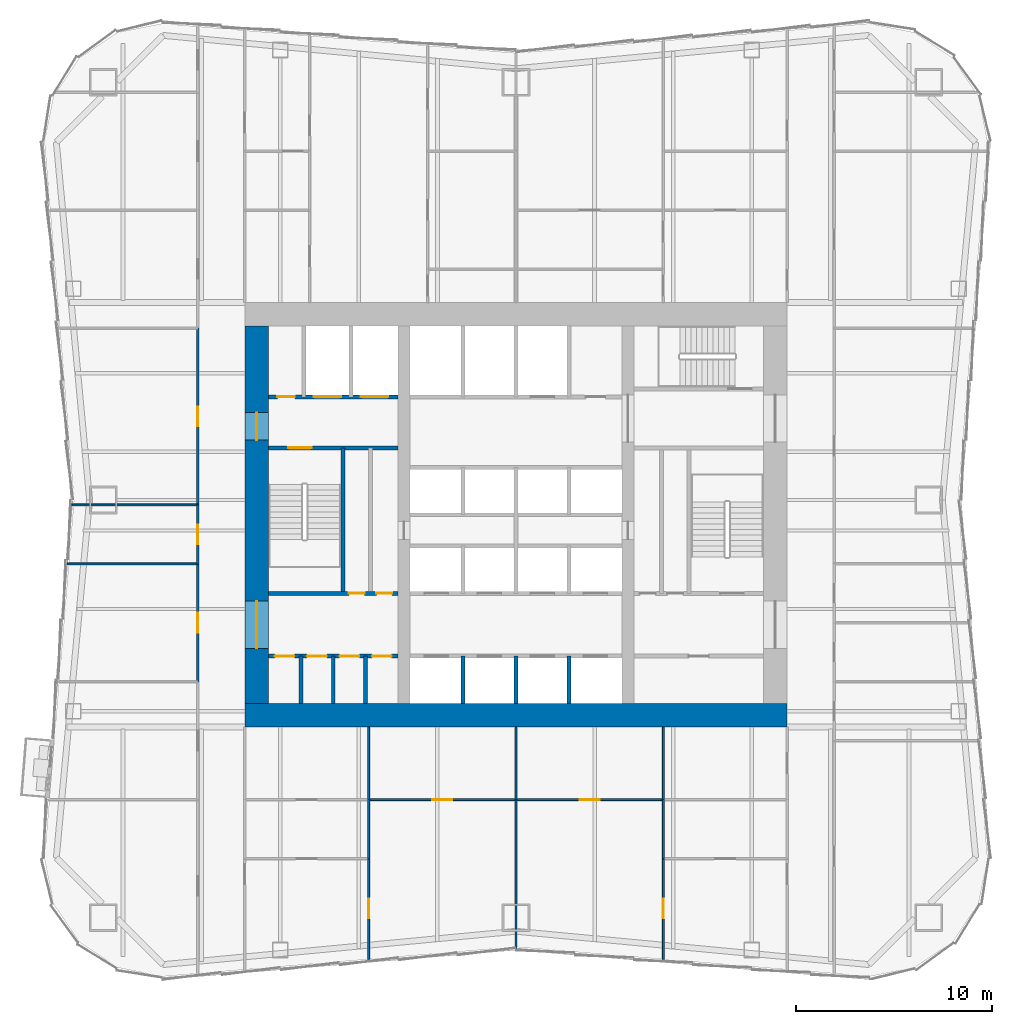
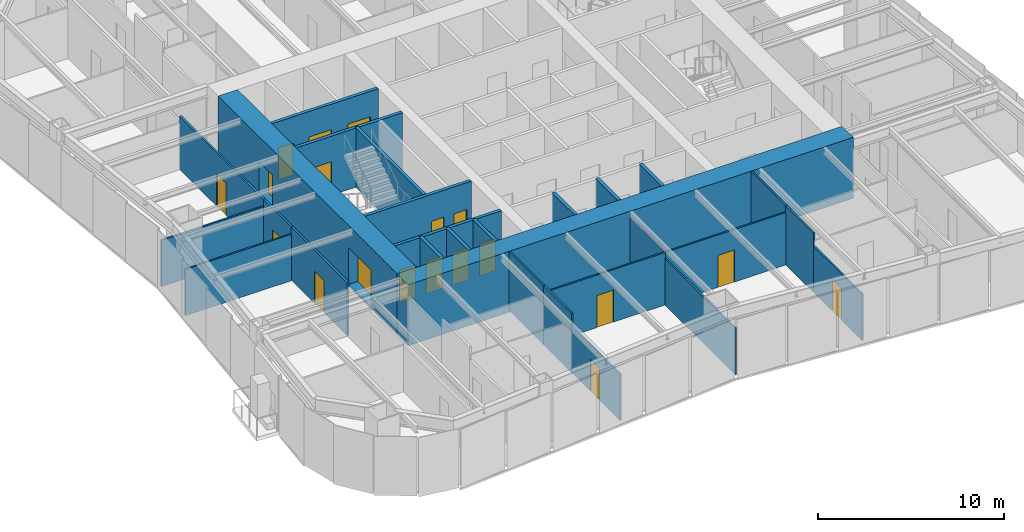
# One storey, part 4 of 9: 28 walls, 19 doors, 19 openings.
"""IFC4 building model written with IfcOpenShell, lengths in metres."""

from ifc_helpers import new_model, si_unit, direction, frame, frame_2d, origin, place, context, subcontext, project, spatial, rectangle, extrude, material, layer, layer_set, type_object, element, fill, save


model = new_model("IFC4")

# Units and contexts
model_context = context("Model", 3, precision=1e-05, world=origin(), true_north=direction((0.0, 1.0)))
body_context = subcontext(model_context, "Body", "Model", "MODEL_VIEW")
ifc_project = project(units=[si_unit("LENGTHUNIT", "METRE"), si_unit("AREAUNIT", "SQUARE_METRE"), si_unit("VOLUMEUNIT", "CUBIC_METRE"), si_unit("PLANEANGLEUNIT", "RADIAN"), si_unit("MASSUNIT", "GRAM", prefix="KILO")], contexts=[model_context])

# Site, building, storey
site_placement = place(None, origin())
site = spatial("IfcSite", under=ifc_project, at=site_placement, CompositionType="ELEMENT")
building_placement = place(site_placement, origin())
building = spatial("IfcBuilding", under=site, at=building_placement, Name="Verdant Reach Tower", CompositionType="ELEMENT")
storey_placement = place(building_placement, frame((0.0, 0.0, 78.0)))
storey = spatial("IfcBuildingStorey", under=building, at=storey_placement, Name="L17", CompositionType="ELEMENT", Elevation=78.0)

# Wall, openings, doors
ifc_material_1 = material(Name="Gypsum board on steel studs", Category="steel")
ifc_layer_1 = layer(ifc_material_1, 0.199951171875)
ifc_layer_set_1 = layer_set([ifc_layer_1], Name="CO-WALL-ROOM")
wall_type_1 = type_object("IfcWallType", Name="CO-WALL-ROOM", PredefinedType="PARTITIONING", material=ifc_layer_set_1)
wall_1_placement = place(storey_placement, frame((-12.60009765625, 20.800048828125, 0.0), z_axis=(0.0, 0.0, 1.0), x_axis=(1.0, 0.0, 0.0)))
wall_1 = element("IfcWall", 1, at=wall_1_placement, inside=storey, type_object=wall_type_1, Name="Core partition, L17", PredefinedType="PARTITIONING", context=body_context, shape_type="SweptSolid", body=[
    extrude(rectangle(XDim=6.60009765625, YDim=0.199951171875, at=frame_2d((3.300048828125, 0.0))), origin(), (0.0, 0.0, 1.0), 3.8701171875),
])
opening_1_placement = place(wall_1_placement, frame((0.324951171875, 0.0, 0.0)))
opening_1 = element("IfcOpeningElement", 2, at=opening_1_placement, cuts=wall_1, Name="Opening CD", PredefinedType="OPENING", context=body_context, shape_type="SweptSolid", body=[
    extrude(rectangle(XDim=1.0, YDim=2.10009765625, at=frame_2d((0.5, 1.050048828125))), frame((0.0, 0.10986328125, 0.0), z_axis=(0.0, -1.0, 0.0), x_axis=(1.0, 0.0, 0.0)), (0.0, 0.0, 1.0), 0.219970703125),
])
opening_2_placement = place(wall_1_placement, frame((1.97509765625, 0.0, 0.0)))
opening_2 = element("IfcOpeningElement", 3, at=opening_2_placement, cuts=wall_1, Name="Opening CD", PredefinedType="OPENING", context=body_context, shape_type="SweptSolid", body=[
    extrude(rectangle(XDim=1.0, YDim=2.10009765625, at=frame_2d((0.5, 1.050048828125))), frame((0.0, 0.10986328125, 0.0), z_axis=(0.0, -1.0, 0.0), x_axis=(1.0, 0.0, 0.0)), (0.0, 0.0, 1.0), 0.219970703125),
])
opening_3_placement = place(wall_1_placement, frame((3.625, 0.0, 0.0)))
opening_3 = element("IfcOpeningElement", 4, at=opening_3_placement, cuts=wall_1, Name="Opening CD", PredefinedType="OPENING", context=body_context, shape_type="SweptSolid", body=[
    extrude(rectangle(XDim=1.0, YDim=2.10009765625, at=frame_2d((0.5, 1.050048828125))), frame((0.0, 0.10986328125, 0.0), z_axis=(0.0, -1.0, 0.0), x_axis=(1.0, 0.0, 0.0)), (0.0, 0.0, 1.0), 0.219970703125),
])
opening_4_placement = place(wall_1_placement, frame((5.27490234375, 0.0, 0.0)))
opening_4 = element("IfcOpeningElement", 5, at=opening_4_placement, cuts=wall_1, Name="Opening CD", PredefinedType="OPENING", context=body_context, shape_type="SweptSolid", body=[
    extrude(rectangle(XDim=1.0, YDim=2.10009765625, at=frame_2d((0.5, 1.050048828125))), frame((0.0, 0.10986328125, 0.0), z_axis=(0.0, -1.0, 0.0), x_axis=(1.0, 0.0, 0.0)), (0.0, 0.0, 1.0), 0.219970703125),
])
ifc_material_2 = material(Name="Timber", Category="wood")
door_type_1 = type_object("IfcDoorType", Name="CO-DOOR-ROOM", OperationType="NOTDEFINED", PredefinedType="DOOR", material=ifc_material_2)
door_1_placement = place(opening_1_placement, origin())
door_1 = element("IfcDoor", 6, at=door_1_placement, inside=storey, type_object=door_type_1, Name="Core room door, L17", OperationType="SINGLE_SWING_RIGHT", OverallHeight=2.10009765625, OverallWidth=1.0, PredefinedType="DOOR", context=body_context, shape_type="SweptSolid", body=[
    extrude(rectangle(XDim=1.0, YDim=2.10009765625, at=frame_2d((0.5, 1.050048828125))), frame((0.0, 0.02490234375, 0.0), z_axis=(0.0, -1.0, 0.0), x_axis=(1.0, 0.0, 0.0)), (0.0, 0.0, 1.0), 0.050048828125),
])
fill(opening_1, door_1)
door_2_placement = place(opening_2_placement, origin())
door_2 = element("IfcDoor", 7, at=door_2_placement, inside=storey, type_object=door_type_1, Name="Core room door, L17", OperationType="SINGLE_SWING_RIGHT", OverallHeight=2.10009765625, OverallWidth=1.0, PredefinedType="DOOR", context=body_context, shape_type="SweptSolid", body=[
    extrude(rectangle(XDim=1.0, YDim=2.10009765625, at=frame_2d((0.5, 1.050048828125))), frame((0.0, 0.02490234375, 0.0), z_axis=(0.0, -1.0, 0.0), x_axis=(1.0, 0.0, 0.0)), (0.0, 0.0, 1.0), 0.050048828125),
])
fill(opening_2, door_2)
door_3_placement = place(opening_3_placement, origin())
door_3 = element("IfcDoor", 8, at=door_3_placement, inside=storey, type_object=door_type_1, Name="Core room door, L17", OperationType="SINGLE_SWING_LEFT", OverallHeight=2.10009765625, OverallWidth=1.0, PredefinedType="DOOR", context=body_context, shape_type="SweptSolid", body=[
    extrude(rectangle(XDim=1.0, YDim=2.10009765625, at=frame_2d((0.5, 1.050048828125))), frame((0.0, 0.02490234375, 0.0), z_axis=(0.0, -1.0, 0.0), x_axis=(1.0, 0.0, 0.0)), (0.0, 0.0, 1.0), 0.050048828125),
])
fill(opening_3, door_3)
door_4_placement = place(opening_4_placement, origin())
door_4 = element("IfcDoor", 9, at=door_4_placement, inside=storey, type_object=door_type_1, Name="Core room door, L17", OperationType="SINGLE_SWING_LEFT", OverallHeight=2.10009765625, OverallWidth=1.0, PredefinedType="DOOR", context=body_context, shape_type="SweptSolid", body=[
    extrude(rectangle(XDim=1.0, YDim=2.10009765625, at=frame_2d((0.5, 1.050048828125))), frame((0.0, 0.02490234375, 0.0), z_axis=(0.0, -1.0, 0.0), x_axis=(1.0, 0.0, 0.0)), (0.0, 0.0, 1.0), 0.050048828125),
])
fill(opening_4, door_4)

# Walls
for number, where, z_axis, x_axis, name in (
    (10, (-10.949951171875, 18.39990234375, 0.0), (0.0, 0.0, 1.0), (0.0, 1.0, 0.0), "Core partition, L17"),
    (11, (-9.300048828125, 18.39990234375, 0.0), (0.0, 0.0, 1.0), (0.0, 1.0, 0.0), "Core partition, L17"),
    (12, (-7.64990234375, 18.39990234375, 0.0), (0.0, 0.0, 1.0), (0.0, 1.0, 0.0), "Core partition, L17"),
):
    element("IfcWall", number, at=place(storey_placement, frame(where, z_axis=z_axis, x_axis=x_axis)), inside=storey, type_object=wall_type_1, Name=name, PredefinedType="PARTITIONING", context=body_context, shape_type="SweptSolid", body=[
        extrude(rectangle(XDim=2.400146484375, YDim=0.199951171875, at=frame_2d((1.2001953125, 0.0))), origin(), (0.0, 0.0, 1.0), 3.8701171875),
    ])

# Wall, openings, doors
ifc_material_3 = material(Name="Concrete C40/50", Category="concrete")
ifc_layer_2 = layer(ifc_material_3, 0.199951171875)
ifc_layer_set_2 = layer_set([ifc_layer_2], Name="CO-WALL-SHAFT")
wall_type_2 = type_object("IfcWallType", Name="CO-WALL-SHAFT", PredefinedType="PARTITIONING", material=ifc_layer_set_2)
wall_2_placement = place(storey_placement, frame((-12.60009765625, 34.0, 0.0), z_axis=(0.0, 0.0, 1.0), x_axis=(1.0, 0.0, 0.0)))
wall_2 = element("IfcWall", 13, at=wall_2_placement, inside=storey, type_object=wall_type_2, Name="Lift shaft wall, L17", PredefinedType="PARTITIONING", context=body_context, shape_type="SweptSolid", body=[
    extrude(rectangle(XDim=6.60009765625, YDim=0.199951171875, at=frame_2d((3.300048828125, 0.0))), origin(), (0.0, 0.0, 1.0), 3.8701171875),
])
opening_5_placement = place(wall_2_placement, frame((4.699951171875, 0.0, 0.0)))
opening_5 = element("IfcOpeningElement", 14, at=opening_5_placement, cuts=wall_2, Name="Opening LD-F1", PredefinedType="OPENING", context=body_context, shape_type="SweptSolid", body=[
    extrude(rectangle(XDim=1.39990234375, YDim=2.199951171875, at=frame_2d((0.699951171875, 1.10009765625))), frame((0.0, 0.10986328125, 0.0), z_axis=(0.0, -1.0, 0.0), x_axis=(1.0, 0.0, 0.0)), (0.0, 0.0, 1.0), 0.219970703125),
])
opening_6_placement = place(wall_2_placement, frame((2.300048828125, 0.0, 0.0)))
opening_6 = element("IfcOpeningElement", 15, at=opening_6_placement, cuts=wall_2, Name="Opening LD-F2", PredefinedType="OPENING", context=body_context, shape_type="SweptSolid", body=[
    extrude(rectangle(XDim=1.39990234375, YDim=2.199951171875, at=frame_2d((0.699951171875, 1.10009765625))), frame((0.0, 0.10986328125, 0.0), z_axis=(0.0, -1.0, 0.0), x_axis=(1.0, 0.0, 0.0)), (0.0, 0.0, 1.0), 0.219970703125),
])
opening_7_placement = place(wall_2_placement, frame((0.449951171875, 0.0, 0.0)))
opening_7 = element("IfcOpeningElement", 16, at=opening_7_placement, cuts=wall_2, Name="Opening RD", PredefinedType="OPENING", context=body_context, shape_type="SweptSolid", body=[
    extrude(rectangle(XDim=0.89990234375, YDim=2.10009765625, at=frame_2d((0.449951171875, 1.050048828125))), frame((0.0, 0.10986328125, 0.0), z_axis=(0.0, -1.0, 0.0), x_axis=(1.0, 0.0, 0.0)), (0.0, 0.0, 1.0), 0.219970703125),
])
ifc_material_4 = material(Name="Stainless steel", Category="steel")
door_type_2 = type_object("IfcDoorType", Name="CO-DOOR-LANDING-FF", OperationType="SLIDING_TO_LEFT", PredefinedType="DOOR", material=ifc_material_4)
door_5_placement = place(opening_5_placement, origin())
door_5 = element("IfcDoor", 17, at=door_5_placement, inside=storey, type_object=door_type_2, Name="Landing door F1, L17", OperationType="SLIDING_TO_LEFT", OverallHeight=2.199951171875, OverallWidth=1.39990234375, PredefinedType="DOOR", context=body_context, shape_type="SweptSolid", body=[
    extrude(rectangle(XDim=1.39990234375, YDim=2.199951171875, at=frame_2d((0.699951171875, 1.10009765625))), frame((0.0, 0.02490234375, 0.0), z_axis=(0.0, -1.0, 0.0), x_axis=(1.0, 0.0, 0.0)), (0.0, 0.0, 1.0), 0.050048828125),
])
fill(opening_5, door_5)
door_6_placement = place(opening_6_placement, origin())
door_6 = element("IfcDoor", 18, at=door_6_placement, inside=storey, type_object=door_type_2, Name="Landing door F2, L17", OperationType="SLIDING_TO_LEFT", OverallHeight=2.199951171875, OverallWidth=1.39990234375, PredefinedType="DOOR", context=body_context, shape_type="SweptSolid", body=[
    extrude(rectangle(XDim=1.39990234375, YDim=2.199951171875, at=frame_2d((0.699951171875, 1.10009765625))), frame((0.0, 0.02490234375, 0.0), z_axis=(0.0, -1.0, 0.0), x_axis=(1.0, 0.0, 0.0)), (0.0, 0.0, 1.0), 0.050048828125),
])
fill(opening_6, door_6)
ifc_material_5 = material(Name="Steel", Category="steel")
door_type_3 = type_object("IfcDoorType", Name="CO-DOOR-RISER", OperationType="NOTDEFINED", PredefinedType="DOOR", material=ifc_material_5)
door_7_placement = place(opening_7_placement, origin())
door_7 = element("IfcDoor", 19, at=door_7_placement, inside=storey, type_object=door_type_3, Name="Core room door, L17", OperationType="SINGLE_SWING_RIGHT", OverallHeight=2.10009765625, OverallWidth=0.89990234375, PredefinedType="DOOR", context=body_context, shape_type="SweptSolid", body=[
    extrude(rectangle(XDim=0.89990234375, YDim=2.10009765625, at=frame_2d((0.449951171875, 1.050048828125))), frame((0.0, 0.02490234375, 0.0), z_axis=(0.0, -1.0, 0.0), x_axis=(1.0, 0.0, 0.0)), (0.0, 0.0, 1.0), 0.050048828125),
])
fill(opening_7, door_7)

# Walls
for number, where, z_axis, x_axis, name in (
    (20, (-2.699951171875, 18.39990234375, 0.0), (0.0, 0.0, 1.0), (0.0, 1.0, 0.0), "Lift shaft wall, L17"),
    (21, (0.0, 18.39990234375, 0.0), (0.0, 0.0, 1.0), (0.0, 1.0, 0.0), "Lift shaft wall, L17"),
    (22, (2.699951171875, 18.39990234375, 0.0), (0.0, 0.0, 1.0), (0.0, 1.0, 0.0), "Lift shaft wall, L17"),
):
    element("IfcWall", number, at=place(storey_placement, frame(where, z_axis=z_axis, x_axis=x_axis)), inside=storey, type_object=wall_type_2, Name=name, PredefinedType="PARTITIONING", context=body_context, shape_type="SweptSolid", body=[
        extrude(rectangle(XDim=2.400146484375, YDim=0.199951171875, at=frame_2d((1.2001953125, 0.0))), origin(), (0.0, 0.0, 1.0), 3.8701171875),
    ])

# Wall, openings, doors
ifc_layer_3 = layer(ifc_material_3, 0.199951171875)
ifc_layer_set_3 = layer_set([ifc_layer_3], Name="CO-WALL-STAIR")
wall_type_3 = type_object("IfcWallType", Name="CO-WALL-STAIR", PredefinedType="PARTITIONING", material=ifc_layer_set_3)
wall_3_placement = place(storey_placement, frame((-12.60009765625, 24.0, 0.0), z_axis=(0.0, 0.0, 1.0), x_axis=(1.0, 0.0, 0.0)))
wall_3 = element("IfcWall", 23, at=wall_3_placement, inside=storey, type_object=wall_type_3, Name="Stair enclosure wall, L17", PredefinedType="PARTITIONING", context=body_context, shape_type="SweptSolid", body=[
    extrude(rectangle(XDim=6.60009765625, YDim=0.199951171875, at=frame_2d((3.300048828125, 0.0))), origin(), (0.0, 0.0, 1.0), 3.8701171875),
])
opening_8_placement = place(wall_3_placement, frame((4.10009765625, 0.0, 0.0)))
opening_8 = element("IfcOpeningElement", 24, at=opening_8_placement, cuts=wall_3, Name="Opening CDN", PredefinedType="OPENING", context=body_context, shape_type="SweptSolid", body=[
    extrude(rectangle(XDim=0.800048828125, YDim=2.10009765625, at=frame_2d((0.39990234375, 1.050048828125))), frame((0.0, 0.10986328125, 0.0), z_axis=(0.0, -1.0, 0.0), x_axis=(1.0, 0.0, 0.0)), (0.0, 0.0, 1.0), 0.219970703125),
])
opening_9_placement = place(wall_3_placement, frame((5.5, 0.0, 0.0)))
opening_9 = element("IfcOpeningElement", 25, at=opening_9_placement, cuts=wall_3, Name="Opening CDN", PredefinedType="OPENING", context=body_context, shape_type="SweptSolid", body=[
    extrude(rectangle(XDim=0.800048828125, YDim=2.10009765625, at=frame_2d((0.39990234375, 1.050048828125))), frame((0.0, 0.10986328125, 0.0), z_axis=(0.0, -1.0, 0.0), x_axis=(1.0, 0.0, 0.0)), (0.0, 0.0, 1.0), 0.219970703125),
])
door_type_4 = type_object("IfcDoorType", Name="CO-DOOR-ROOM-NARROW", OperationType="NOTDEFINED", PredefinedType="DOOR", material=ifc_material_2)
door_8_placement = place(opening_8_placement, origin())
door_8 = element("IfcDoor", 26, at=door_8_placement, inside=storey, type_object=door_type_4, Name="Core room door, L17", OperationType="SINGLE_SWING_RIGHT", OverallHeight=2.10009765625, OverallWidth=0.800048828125, PredefinedType="DOOR", context=body_context, shape_type="SweptSolid", body=[
    extrude(rectangle(XDim=0.800048828125, YDim=2.10009765625, at=frame_2d((0.39990234375, 1.050048828125))), frame((0.0, 0.02490234375, 0.0), z_axis=(0.0, -1.0, 0.0), x_axis=(1.0, 0.0, 0.0)), (0.0, 0.0, 1.0), 0.050048828125),
])
fill(opening_8, door_8)
door_9_placement = place(opening_9_placement, origin())
door_9 = element("IfcDoor", 27, at=door_9_placement, inside=storey, type_object=door_type_4, Name="Core room door, L17", OperationType="SINGLE_SWING_LEFT", OverallHeight=2.10009765625, OverallWidth=0.800048828125, PredefinedType="DOOR", context=body_context, shape_type="SweptSolid", body=[
    extrude(rectangle(XDim=0.800048828125, YDim=2.10009765625, at=frame_2d((0.39990234375, 1.050048828125))), frame((0.0, 0.02490234375, 0.0), z_axis=(0.0, -1.0, 0.0), x_axis=(1.0, 0.0, 0.0)), (0.0, 0.0, 1.0), 0.050048828125),
])
fill(opening_9, door_9)

# Wall, opening, door
wall_4_placement = place(storey_placement, frame((-12.60009765625, 31.39990234375, 0.0), z_axis=(0.0, 0.0, 1.0), x_axis=(1.0, 0.0, 0.0)))
wall_4 = element("IfcWall", 28, at=wall_4_placement, inside=storey, type_object=wall_type_3, Name="Stair enclosure wall, L17", PredefinedType="PARTITIONING", context=body_context, shape_type="SweptSolid", body=[
    extrude(rectangle(XDim=6.60009765625, YDim=0.199951171875, at=frame_2d((3.300048828125, 0.0))), origin(), (0.0, 0.0, 1.0), 3.8701171875),
])
opening_10_placement = place(wall_4_placement, frame((1.0, 0.0, 0.0)))
opening_10 = element("IfcOpeningElement", 29, at=opening_10_placement, cuts=wall_4, Name="Opening SD", PredefinedType="OPENING", context=body_context, shape_type="SweptSolid", body=[
    extrude(rectangle(XDim=1.199951171875, YDim=2.199951171875, at=frame_2d((0.60009765625, 1.10009765625))), frame((0.0, 0.10986328125, 0.0), z_axis=(0.0, -1.0, 0.0), x_axis=(1.0, 0.0, 0.0)), (0.0, 0.0, 1.0), 0.219970703125),
])
door_type_5 = type_object("IfcDoorType", Name="CO-DOOR-STAIR", OperationType="NOTDEFINED", PredefinedType="DOOR", material=ifc_material_5)
door_10_placement = place(opening_10_placement, origin())
door_10 = element("IfcDoor", 30, at=door_10_placement, inside=storey, type_object=door_type_5, Name="Stair door, L17", OperationType="SINGLE_SWING_RIGHT", OverallHeight=2.199951171875, OverallWidth=1.199951171875, PredefinedType="DOOR", context=body_context, shape_type="SweptSolid", body=[
    extrude(rectangle(XDim=1.199951171875, YDim=2.199951171875, at=frame_2d((0.60009765625, 1.10009765625))), frame((0.0, 0.02490234375, 0.0), z_axis=(0.0, -1.0, 0.0), x_axis=(1.0, 0.0, 0.0)), (0.0, 0.0, 1.0), 0.050048828125),
])
fill(opening_10, door_10)

# Walls
wall_5_placement = place(storey_placement, frame((-8.800048828125, 24.0, 0.0), z_axis=(0.0, 0.0, 1.0), x_axis=(0.0, 1.0, 0.0)))
element("IfcWall", 31, at=wall_5_placement, inside=storey, type_object=wall_type_3, Name="Stair enclosure wall, L17", PredefinedType="PARTITIONING", context=body_context, shape_type="SweptSolid", body=[
    extrude(rectangle(XDim=7.39990234375, YDim=0.199951171875, at=frame_2d((3.699951171875, 0.0))), origin(), (0.0, 0.0, 1.0), 3.8701171875),
])
ifc_layer_4 = layer(ifc_material_1, 0.10009765625)
ifc_layer_set_4 = layer_set([ifc_layer_4], Name="FL-W1 Partition 100")
wall_type_4 = type_object("IfcWallType", Name="FL-W1 Partition 100", PredefinedType="PARTITIONING", material=ifc_layer_set_4)
wall_6_placement = place(storey_placement, frame((-16.199951171875, 25.5, 0.0), z_axis=(0.0, 0.0, 1.0), x_axis=(-1.0, 0.0, 0.0)))
element("IfcWall", 32, at=wall_6_placement, inside=storey, type_object=wall_type_4, Name="Partition 17.31", PredefinedType="PARTITIONING", context=body_context, shape_type="SweptSolid", body=[
    extrude(rectangle(XDim=6.647216796875, YDim=0.10009765625, at=frame_2d((3.32373046875, 0.0))), origin(), (0.0, 0.0, 1.0), 3.0400390625),
])
wall_7_placement = place(storey_placement, frame((-16.199951171875, 28.5, 0.0), z_axis=(0.0, 0.0, 1.0), x_axis=(-1.0, 0.0, 0.0)))
element("IfcWall", 33, at=wall_7_placement, inside=storey, type_object=wall_type_4, Name="Partition 17.32", PredefinedType="PARTITIONING", context=body_context, shape_type="SweptSolid", body=[
    extrude(rectangle(XDim=6.400634765625, YDim=0.10009765625, at=frame_2d((3.2001953125, 0.0))), origin(), (0.0, 0.0, 1.0), 3.0400390625),
])

# Wall, opening, door
wall_8_placement = place(storey_placement, frame((-7.5, 10.50390625, 0.0), z_axis=(0.0, 0.0, 1.0), x_axis=(0.0, -1.0, 0.0)))
wall_8 = element("IfcWall", 34, at=wall_8_placement, inside=storey, type_object=wall_type_4, Name="Partition 17.44", PredefinedType="PARTITIONING", context=body_context, shape_type="SweptSolid", body=[
    extrude(rectangle(XDim=5.208984375, YDim=0.10009765625, at=frame_2d((2.6044921875, 0.0))), origin(), (0.0, 0.0, 1.0), 3.0400390625),
])
opening_11_placement = place(wall_8_placement, frame((2.039306640625, 0.0, 0.0)))
opening_11 = element("IfcOpeningElement", 35, at=opening_11_placement, cuts=wall_8, Name="Opening D3", PredefinedType="OPENING", context=body_context, shape_type="SweptSolid", body=[
    extrude(rectangle(XDim=1.0, YDim=2.10009765625, at=frame_2d((0.5, 1.050048828125))), frame((0.0, 0.06005859375, 0.0), z_axis=(0.0, -1.0, 0.0), x_axis=(1.0, 0.0, 0.0)), (0.0, 0.0, 1.0), 0.1201171875),
])
ifc_material_6 = material(Name="Painted timber door leaf", Category="wood")
door_type_6 = type_object("IfcDoorType", Name="FL-D3 Door 1000x2100", OperationType="NOTDEFINED", PredefinedType="DOOR", material=ifc_material_6)
door_11_placement = place(opening_11_placement, origin())
door_11 = element("IfcDoor", 36, at=door_11_placement, inside=storey, type_object=door_type_6, Name="Door 17-024", OperationType="SINGLE_SWING_LEFT", OverallHeight=2.10009765625, OverallWidth=1.0, PredefinedType="DOOR", context=body_context, shape_type="SweptSolid", body=[
    extrude(rectangle(XDim=1.0, YDim=2.10009765625, at=frame_2d((0.5, 1.050048828125))), frame((0.0, 0.02490234375, 0.0), z_axis=(0.0, -1.0, 0.0), x_axis=(1.0, 0.0, 0.0)), (0.0, 0.0, 1.0), 0.050048828125),
])
fill(opening_11, door_11)

# Walls
wall_9_placement = place(storey_placement, frame((-7.5, 10.49609375, 0.0), z_axis=(0.0, 0.0, 1.0), x_axis=(0.0, 1.0, 0.0)))
element("IfcWall", 37, at=wall_9_placement, inside=storey, type_object=wall_type_4, Name="Partition 17.46", PredefinedType="PARTITIONING", context=body_context, shape_type="SweptSolid", body=[
    extrude(rectangle(XDim=3.00390625, YDim=0.10009765625, at=frame_2d((1.501953125, 0.0))), origin(), (0.0, 0.0, 1.0), 3.8701171875),
])
wall_10_placement = place(storey_placement, frame((-7.5, 13.5, 0.0), z_axis=(0.0, 0.0, 1.0), x_axis=(0.0, 1.0, 0.0)))
element("IfcWall", 38, at=wall_10_placement, inside=storey, type_object=wall_type_4, Name="Partition 17.47", PredefinedType="PARTITIONING", context=body_context, shape_type="SweptSolid", body=[
    extrude(rectangle(XDim=3.699951171875, YDim=0.10009765625, at=frame_2d((1.85009765625, 0.0))), origin(), (0.0, 0.0, 1.0), 3.8701171875),
])

# Wall, opening, door
wall_11_placement = place(storey_placement, frame((-7.5, 13.5, 0.0), z_axis=(0.0, 0.0, 1.0), x_axis=(1.0, 0.0, 0.0)))
wall_11 = element("IfcWall", 39, at=wall_11_placement, inside=storey, type_object=wall_type_4, Name="Partition 17.48", PredefinedType="PARTITIONING", context=body_context, shape_type="SweptSolid", body=[
    extrude(rectangle(XDim=7.5, YDim=0.10009765625, at=frame_2d((3.75, 0.0))), origin(), (0.0, 0.0, 1.0), 3.43994140625),
])
opening_12_placement = place(wall_11_placement, frame((3.25, 0.0, 0.0)))
opening_12 = element("IfcOpeningElement", 40, at=opening_12_placement, cuts=wall_11, Name="Opening D3", PredefinedType="OPENING", context=body_context, shape_type="SweptSolid", body=[
    extrude(rectangle(XDim=1.0, YDim=2.10009765625, at=frame_2d((0.5, 1.050048828125))), frame((0.0, 0.06005859375, 0.0), z_axis=(0.0, -1.0, 0.0), x_axis=(1.0, 0.0, 0.0)), (0.0, 0.0, 1.0), 0.1201171875),
])
door_12_placement = place(opening_12_placement, origin())
door_12 = element("IfcDoor", 41, at=door_12_placement, inside=storey, type_object=door_type_6, Name="Door 17-026", OperationType="SINGLE_SWING_RIGHT", OverallHeight=2.10009765625, OverallWidth=1.0, PredefinedType="DOOR", context=body_context, shape_type="SweptSolid", body=[
    extrude(rectangle(XDim=1.0, YDim=2.10009765625, at=frame_2d((0.5, 1.050048828125))), frame((0.0, 0.02490234375, 0.0), z_axis=(0.0, -1.0, 0.0), x_axis=(1.0, 0.0, 0.0)), (0.0, 0.0, 1.0), 0.050048828125),
])
fill(opening_12, door_12)

# Walls
wall_12_placement = place(storey_placement, frame((0.0, 5.919921875, 0.0), z_axis=(0.0, 0.0, 1.0), x_axis=(0.0, 1.0, 0.0)))
element("IfcWall", 42, at=wall_12_placement, inside=storey, type_object=wall_type_4, Name="Partition 17.49", PredefinedType="PARTITIONING", context=body_context, shape_type="SweptSolid", body=[
    extrude(rectangle(XDim=7.580078125, YDim=0.10009765625, at=frame_2d((3.7900390625, 0.0))), origin(), (0.0, 0.0, 1.0), 3.0400390625),
])
wall_13_placement = place(storey_placement, frame((0.0, 13.5, 0.0), z_axis=(0.0, 0.0, 1.0), x_axis=(0.0, 1.0, 0.0)))
element("IfcWall", 43, at=wall_13_placement, inside=storey, type_object=wall_type_4, Name="Partition 17.50", PredefinedType="PARTITIONING", context=body_context, shape_type="SweptSolid", body=[
    extrude(rectangle(XDim=3.699951171875, YDim=0.10009765625, at=frame_2d((1.85009765625, 0.0))), origin(), (0.0, 0.0, 1.0), 3.47998046875),
])

# Wall, opening, door
wall_14_placement = place(storey_placement, frame((7.5, 5.294921875, 0.0), z_axis=(0.0, 0.0, 1.0), x_axis=(0.0, 1.0, 0.0)))
wall_14 = element("IfcWall", 44, at=wall_14_placement, inside=storey, type_object=wall_type_4, Name="Partition 17.52", PredefinedType="PARTITIONING", context=body_context, shape_type="SweptSolid", body=[
    extrude(rectangle(XDim=5.208984375, YDim=0.10009765625, at=frame_2d((2.6044921875, 0.0))), origin(), (0.0, 0.0, 1.0), 3.0400390625),
])
opening_13_placement = place(wall_14_placement, frame((2.169677734375, 0.0, 0.0)))
opening_13 = element("IfcOpeningElement", 45, at=opening_13_placement, cuts=wall_14, Name="Opening D3", PredefinedType="OPENING", context=body_context, shape_type="SweptSolid", body=[
    extrude(rectangle(XDim=1.0, YDim=2.10009765625, at=frame_2d((0.5, 1.050048828125))), frame((0.0, 0.06005859375, 0.0), z_axis=(0.0, -1.0, 0.0), x_axis=(1.0, 0.0, 0.0)), (0.0, 0.0, 1.0), 0.1201171875),
])
door_13_placement = place(opening_13_placement, origin())
door_13 = element("IfcDoor", 46, at=door_13_placement, inside=storey, type_object=door_type_6, Name="Door 17-028", OperationType="SINGLE_SWING_RIGHT", OverallHeight=2.10009765625, OverallWidth=1.0, PredefinedType="DOOR", context=body_context, shape_type="SweptSolid", body=[
    extrude(rectangle(XDim=1.0, YDim=2.10009765625, at=frame_2d((0.5, 1.050048828125))), frame((0.0, 0.02490234375, 0.0), z_axis=(0.0, -1.0, 0.0), x_axis=(1.0, 0.0, 0.0)), (0.0, 0.0, 1.0), 0.050048828125),
])
fill(opening_13, door_13)

# Walls
wall_15_placement = place(storey_placement, frame((7.5, 13.5, 0.0), z_axis=(0.0, 0.0, 1.0), x_axis=(0.0, -1.0, 0.0)))
element("IfcWall", 47, at=wall_15_placement, inside=storey, type_object=wall_type_4, Name="Partition 17.54", PredefinedType="PARTITIONING", context=body_context, shape_type="SweptSolid", body=[
    extrude(rectangle(XDim=3.00390625, YDim=0.10009765625, at=frame_2d((1.501953125, 0.0))), origin(), (0.0, 0.0, 1.0), 3.8701171875),
])
wall_16_placement = place(storey_placement, frame((7.5, 17.199951171875, 0.0), z_axis=(0.0, 0.0, 1.0), x_axis=(0.0, -1.0, 0.0)))
element("IfcWall", 48, at=wall_16_placement, inside=storey, type_object=wall_type_4, Name="Partition 17.55", PredefinedType="PARTITIONING", context=body_context, shape_type="SweptSolid", body=[
    extrude(rectangle(XDim=3.699951171875, YDim=0.10009765625, at=frame_2d((1.85009765625, 0.0))), origin(), (0.0, 0.0, 1.0), 3.8701171875),
])

# Wall, opening, door
wall_17_placement = place(storey_placement, frame((0.0, 13.5, 0.0), z_axis=(0.0, 0.0, 1.0), x_axis=(1.0, 0.0, 0.0)))
wall_17 = element("IfcWall", 49, at=wall_17_placement, inside=storey, type_object=wall_type_4, Name="Partition 17.56", PredefinedType="PARTITIONING", context=body_context, shape_type="SweptSolid", body=[
    extrude(rectangle(XDim=7.5, YDim=0.10009765625, at=frame_2d((3.75, 0.0))), origin(), (0.0, 0.0, 1.0), 3.43994140625),
])
opening_14_placement = place(wall_17_placement, frame((3.25, 0.0, 0.0)))
opening_14 = element("IfcOpeningElement", 50, at=opening_14_placement, cuts=wall_17, Name="Opening D3", PredefinedType="OPENING", context=body_context, shape_type="SweptSolid", body=[
    extrude(rectangle(XDim=1.0, YDim=2.10009765625, at=frame_2d((0.5, 1.050048828125))), frame((0.0, 0.06005859375, 0.0), z_axis=(0.0, -1.0, 0.0), x_axis=(1.0, 0.0, 0.0)), (0.0, 0.0, 1.0), 0.1201171875),
])
door_14_placement = place(opening_14_placement, origin())
door_14 = element("IfcDoor", 51, at=door_14_placement, inside=storey, type_object=door_type_6, Name="Door 17-029", OperationType="SINGLE_SWING_LEFT", OverallHeight=2.10009765625, OverallWidth=1.0, PredefinedType="DOOR", context=body_context, shape_type="SweptSolid", body=[
    extrude(rectangle(XDim=1.0, YDim=2.10009765625, at=frame_2d((0.5, 1.050048828125))), frame((0.0, 0.02490234375, 0.0), z_axis=(0.0, -1.0, 0.0), x_axis=(1.0, 0.0, 0.0)), (0.0, 0.0, 1.0), 0.050048828125),
])
fill(opening_14, door_14)

ifc_material_7 = material(Name="Gypsum board on steel studs, fire rated", Category="steel")
ifc_layer_5 = layer(ifc_material_7, 0.125)
ifc_layer_set_5 = layer_set([ifc_layer_5], Name="FL-W2 Corridor wall 125")
wall_type_5 = type_object("IfcWallType", Name="FL-W2 Corridor wall 125", PredefinedType="PARTITIONING", material=ifc_layer_set_5)
wall_18_placement = place(storey_placement, frame((-16.199951171875, 19.5, 0.0), z_axis=(0.0, 0.0, 1.0), x_axis=(0.0, 1.0, 0.0)))
wall_18 = element("IfcWall", 52, at=wall_18_placement, inside=storey, type_object=wall_type_5, Name="Partition 17.03", PredefinedType="PARTITIONING", context=body_context, shape_type="SweptSolid", body=[
    extrude(rectangle(XDim=6.0, YDim=0.125, at=frame_2d((3.0, 0.0))), origin(), (0.0, 0.0, 1.0), 3.47998046875),
])
opening_15_placement = place(wall_18_placement, frame((2.5, 0.0, 0.0)))
opening_15 = element("IfcOpeningElement", 53, at=opening_15_placement, cuts=wall_18, Name="Opening D2", PredefinedType="OPENING", context=body_context, shape_type="SweptSolid", body=[
    extrude(rectangle(XDim=1.0, YDim=2.10009765625, at=frame_2d((0.5, 1.050048828125))), frame((0.0, 0.072509765625, 0.0), z_axis=(0.0, -1.0, 0.0), x_axis=(1.0, 0.0, 0.0)), (0.0, 0.0, 1.0), 0.14501953125),
])
ifc_material_8 = material(Name="Timber door leaf, fire rated", Category="wood")
door_type_7 = type_object("IfcDoorType", Name="FL-D2 Entrance door 1000x2100 FD30", OperationType="NOTDEFINED", PredefinedType="DOOR", material=ifc_material_8)
door_15_placement = place(opening_15_placement, origin())
door_15 = element("IfcDoor", 54, at=door_15_placement, inside=storey, type_object=door_type_7, Name="Door 17-003", OperationType="SINGLE_SWING_LEFT", OverallHeight=2.10009765625, OverallWidth=1.0, PredefinedType="DOOR", context=body_context, shape_type="SweptSolid", body=[
    extrude(rectangle(XDim=1.0, YDim=2.10009765625, at=frame_2d((0.5, 1.050048828125))), frame((0.0, 0.02490234375, 0.0), z_axis=(0.0, -1.0, 0.0), x_axis=(1.0, 0.0, 0.0)), (0.0, 0.0, 1.0), 0.050048828125),
])
fill(opening_15, door_15)

wall_19_placement = place(storey_placement, frame((-16.199951171875, 25.5, 0.0), z_axis=(0.0, 0.0, 1.0), x_axis=(0.0, 1.0, 0.0)))
wall_19 = element("IfcWall", 55, at=wall_19_placement, inside=storey, type_object=wall_type_5, Name="Partition 17.04", PredefinedType="PARTITIONING", context=body_context, shape_type="SweptSolid", body=[
    extrude(rectangle(XDim=3.0, YDim=0.125, at=frame_2d((1.5, 0.0))), origin(), (0.0, 0.0, 1.0), 3.47998046875),
])
opening_16_placement = place(wall_19_placement, frame((1.0, 0.0, 0.0)))
opening_16 = element("IfcOpeningElement", 56, at=opening_16_placement, cuts=wall_19, Name="Opening D2", PredefinedType="OPENING", context=body_context, shape_type="SweptSolid", body=[
    extrude(rectangle(XDim=1.0, YDim=2.10009765625, at=frame_2d((0.5, 1.050048828125))), frame((0.0, 0.072509765625, 0.0), z_axis=(0.0, -1.0, 0.0), x_axis=(1.0, 0.0, 0.0)), (0.0, 0.0, 1.0), 0.14501953125),
])
door_16_placement = place(opening_16_placement, origin())
door_16 = element("IfcDoor", 57, at=door_16_placement, inside=storey, type_object=door_type_7, Name="Door 17-004", OperationType="SINGLE_SWING_RIGHT", OverallHeight=2.10009765625, OverallWidth=1.0, PredefinedType="DOOR", context=body_context, shape_type="SweptSolid", body=[
    extrude(rectangle(XDim=1.0, YDim=2.10009765625, at=frame_2d((0.5, 1.050048828125))), frame((0.0, 0.02490234375, 0.0), z_axis=(0.0, -1.0, 0.0), x_axis=(1.0, 0.0, 0.0)), (0.0, 0.0, 1.0), 0.050048828125),
])
fill(opening_16, door_16)

wall_20_placement = place(storey_placement, frame((-16.199951171875, 28.5, 0.0), z_axis=(0.0, 0.0, 1.0), x_axis=(0.0, 1.0, 0.0)))
wall_20 = element("IfcWall", 58, at=wall_20_placement, inside=storey, type_object=wall_type_5, Name="Partition 17.05", PredefinedType="PARTITIONING", context=body_context, shape_type="SweptSolid", body=[
    extrude(rectangle(XDim=9.0, YDim=0.125, at=frame_2d((4.5, 0.0))), origin(), (0.0, 0.0, 1.0), 3.47998046875),
])
opening_17_placement = place(wall_20_placement, frame((4.0, 0.0, 0.0)))
opening_17 = element("IfcOpeningElement", 59, at=opening_17_placement, cuts=wall_20, Name="Opening D2", PredefinedType="OPENING", context=body_context, shape_type="SweptSolid", body=[
    extrude(rectangle(XDim=1.0, YDim=2.10009765625, at=frame_2d((0.5, 1.050048828125))), frame((0.0, 0.072509765625, 0.0), z_axis=(0.0, -1.0, 0.0), x_axis=(1.0, 0.0, 0.0)), (0.0, 0.0, 1.0), 0.14501953125),
])
door_17_placement = place(opening_17_placement, origin())
door_17 = element("IfcDoor", 60, at=door_17_placement, inside=storey, type_object=door_type_7, Name="Door 17-005", OperationType="SINGLE_SWING_LEFT", OverallHeight=2.10009765625, OverallWidth=1.0, PredefinedType="DOOR", context=body_context, shape_type="SweptSolid", body=[
    extrude(rectangle(XDim=1.0, YDim=2.10009765625, at=frame_2d((0.5, 1.050048828125))), frame((0.0, 0.02490234375, 0.0), z_axis=(0.0, -1.0, 0.0), x_axis=(1.0, 0.0, 0.0)), (0.0, 0.0, 1.0), 0.050048828125),
])
fill(opening_17, door_17)

# Wall
ifc_material_9 = material(Name="Concrete C70/85", Category="concrete")
ifc_layer_6 = layer(ifc_material_9, 1.199951171875)
ifc_layer_set_6 = layer_set([ifc_layer_6], Name="ST-CORE-WALL-1200")
wall_type_6 = type_object("IfcWallType", Name="ST-CORE-WALL-1200", PredefinedType="SHEAR", material=ifc_layer_set_6)
wall_21_placement = place(storey_placement, frame((-13.800048828125, 17.800048828125, -0.1298828125), z_axis=(0.0, 0.0, 1.0), x_axis=(1.0, 0.0, 0.0)))
element("IfcWall", 61, at=wall_21_placement, inside=storey, type_object=wall_type_6, Name="Core wall S, L17", PredefinedType="SHEAR", context=body_context, shape_type="SweptSolid", body=[
    extrude(rectangle(XDim=27.60009765625, YDim=1.199951171875, at=frame_2d((13.800048828125, 0.0))), origin(), (0.0, 0.0, 1.0), 4.0),
])

# Wall, openings, doors
wall_22_placement = place(storey_placement, frame((-13.199951171875, 18.39990234375, -0.1298828125), z_axis=(0.0, 0.0, 1.0), x_axis=(0.0, 1.0, 0.0)))
wall_22 = element("IfcWall", 62, at=wall_22_placement, inside=storey, type_object=wall_type_6, Name="Core wall W, L17", PredefinedType="SHEAR", context=body_context, shape_type="SweptSolid", body=[
    extrude(rectangle(XDim=19.2001953125, YDim=1.199951171875, at=frame_2d((9.60009765625, 0.0))), origin(), (0.0, 0.0, 1.0), 4.0),
])
opening_18_placement = place(wall_22_placement, frame((2.800048828125, 0.0, 0.1298828125)))
opening_18 = element("IfcOpeningElement", 63, at=opening_18_placement, cuts=wall_22, Name="Opening LB", PredefinedType="OPENING", context=body_context, shape_type="SweptSolid", body=[
    extrude(rectangle(XDim=2.39990234375, YDim=2.39990234375, at=frame_2d((1.199951171875, 1.199951171875))), frame((0.0, 0.60986328125, 0.0), z_axis=(0.0, -1.0, 0.0), x_axis=(1.0, 0.0, 0.0)), (0.0, 0.0, 1.0), 1.219970703125),
])
opening_19_placement = place(wall_22_placement, frame((13.39990234375, 0.0, 0.1298828125)))
opening_19 = element("IfcOpeningElement", 64, at=opening_19_placement, cuts=wall_22, Name="Opening FL", PredefinedType="OPENING", context=body_context, shape_type="SweptSolid", body=[
    extrude(rectangle(XDim=1.39990234375, YDim=2.199951171875, at=frame_2d((0.699951171875, 1.10009765625))), frame((0.0, 0.60986328125, 0.0), z_axis=(0.0, -1.0, 0.0), x_axis=(1.0, 0.0, 0.0)), (0.0, 0.0, 1.0), 1.219970703125),
])
door_type_8 = type_object("IfcDoorType", Name="CO-DOOR-FFL", OperationType="NOTDEFINED", PredefinedType="DOOR", material=ifc_material_5)
door_18_placement = place(opening_19_placement, origin())
door_18 = element("IfcDoor", 65, at=door_18_placement, inside=storey, type_object=door_type_8, Name="Core entrance door, L17", OperationType="SINGLE_SWING_RIGHT", OverallHeight=2.199951171875, OverallWidth=1.39990234375, PredefinedType="DOOR", context=body_context, shape_type="SweptSolid", body=[
    extrude(rectangle(XDim=1.39990234375, YDim=2.199951171875, at=frame_2d((0.699951171875, 1.10009765625))), frame((0.0, 0.02490234375, 0.0), z_axis=(0.0, -1.0, 0.0), x_axis=(1.0, 0.0, 0.0)), (0.0, 0.0, 1.0), 0.050048828125),
])
fill(opening_19, door_18)
ifc_material_10 = material(Name="Glass and steel", Category="steel")
door_type_9 = type_object("IfcDoorType", Name="CO-DOOR-LOBBY", OperationType="DOUBLE_DOOR_SINGLE_SWING", PredefinedType="DOOR", material=ifc_material_10)
door_19_placement = place(opening_18_placement, origin())
door_19 = element("IfcDoor", 66, at=door_19_placement, inside=storey, type_object=door_type_9, Name="Core entrance door, L17", OperationType="DOUBLE_DOOR_SINGLE_SWING", OverallHeight=2.39990234375, OverallWidth=2.39990234375, PredefinedType="DOOR", context=body_context, shape_type="SweptSolid", body=[
    extrude(rectangle(XDim=2.39990234375, YDim=2.39990234375, at=frame_2d((1.199951171875, 1.199951171875))), frame((0.0, 0.02490234375, 0.0), z_axis=(0.0, -1.0, 0.0), x_axis=(1.0, 0.0, 0.0)), (0.0, 0.0, 1.0), 0.050048828125),
])
fill(opening_18, door_19)

save(model, "model.ifc")
